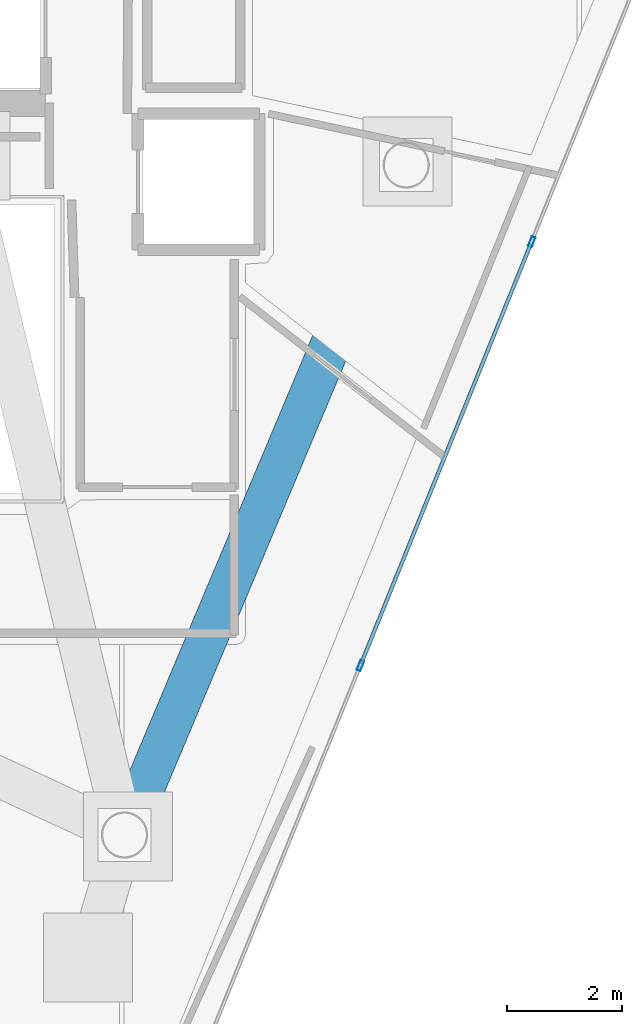
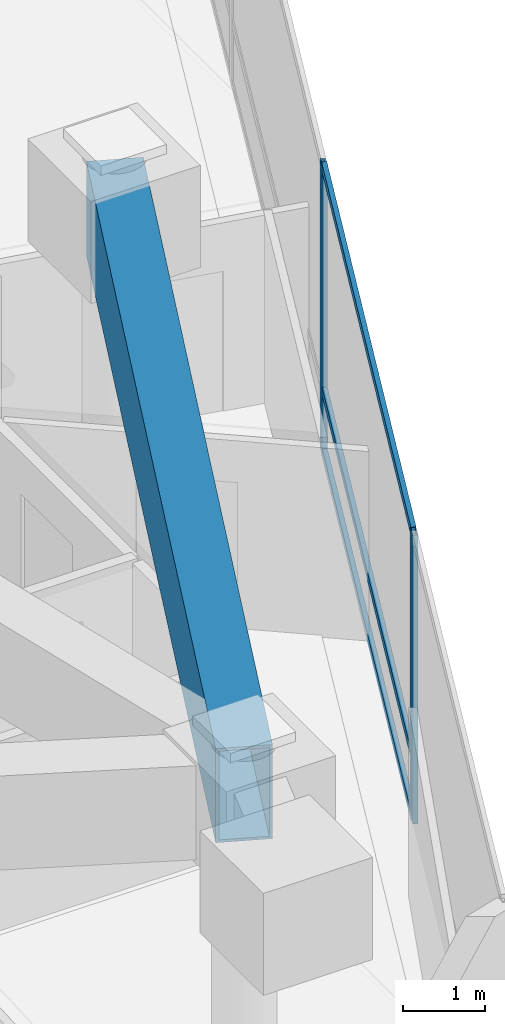
# One storey, part 5 of 17: 5 members, 1 beam, 1 element without a shape of its own.
"""IFC4 building model written with IfcOpenShell, lengths in metres."""

from ifc_helpers import new_model, si_unit, direction, frame, origin, origin_2d, place, context, subcontext, project, spatial, hollow_rectangle, extrude, material, layer, layer_set, material_profile, profile_set, type_object, element, aggregate, save


model = new_model("IFC4")

# Units and contexts
model_context = context("Model", 3, precision=1e-05, world=origin(), true_north=direction((0.0, 1.0)))
body_context = subcontext(model_context, "Body", "Model", "MODEL_VIEW")
ifc_project = project(units=[si_unit("LENGTHUNIT", "METRE"), si_unit("AREAUNIT", "SQUARE_METRE"), si_unit("VOLUMEUNIT", "CUBIC_METRE"), si_unit("PLANEANGLEUNIT", "RADIAN"), si_unit("MASSUNIT", "GRAM", prefix="KILO")], contexts=[model_context])

# Site, building, storey
site_placement = place(None, origin())
site = spatial("IfcSite", under=ifc_project, at=site_placement, CompositionType="ELEMENT")
building_placement = place(site_placement, origin())
building = spatial("IfcBuilding", under=site, at=building_placement, Name="Qianvela Tower", CompositionType="ELEMENT")
storey_placement = place(building_placement, frame((0.0, 0.0, 351.800048828125)))
storey = spatial("IfcBuildingStorey", under=building, at=storey_placement, Name="L91", CompositionType="ELEMENT", Elevation=351.800048828125)

# Beam
ifc_material_1 = material(Name="Steel Q420GJC", Category="steel")
ifc_material_profile_1 = material_profile(ifc_material_1, hollow_rectangle(XDim=0.699951171875, YDim=1.39990234375, WallThickness=0.0400390625, at=origin_2d()), Name="TG-BOX-1400x700x40")
ifc_profile_set_1 = profile_set([ifc_material_profile_1], Name="Steel Q420GJC")
beam_type = type_object("IfcBeamType", Name="BM-TG-RAD-1400", PredefinedType="BEAM", material=ifc_profile_set_1)
beam_placement = place(storey_placement, frame((41.217041015625, 12.087890625, 3.597900390625), z_axis=(0.387547057173, 0.921849921883, 0.0), x_axis=(-0.921849921883, 0.387547057173, 0.0)))
element("IfcBeam", 1, at=beam_placement, inside=storey, type_object=beam_type, Name="L91 Perimeter Ring Transfer Girder 5", PredefinedType="BEAM", context=body_context, shape_type="SweptSolid", body=[
    extrude(hollow_rectangle(XDim=0.699951171875, YDim=1.39990234375, WallThickness=0.0400390625, at=origin_2d()), origin(), (0.0, 0.0, 1.0), 12.586669921875),
])

# Curtain wall, members
ifc_material_2 = material(Name="Anodised Architectural Aluminium and Low-E Glass", Category="aluminium")
ifc_layer = layer(ifc_material_2, 0.18994140625)
ifc_layer_set = layer_set([ifc_layer], Name="Anodised Architectural Aluminium and Low-E Glass")
curtain_wall_type = type_object("IfcCurtainWallType", Name="CW-SKYLOBBY", PredefinedType="USERDEFINED", material=ifc_layer_set)
curtain_wall_placement = place(storey_placement, origin())
curtain_wall = element("IfcCurtainWall", 2, at=curtain_wall_placement, inside=storey, type_object=curtain_wall_type, Name="L91 CW-SKYLOBBY Curtain Wall 06", ObjectType="CURTAIN_WALL_SYSTEM", PredefinedType="USERDEFINED")
ifc_material_3 = material(Name="Anodised Architectural Aluminium 6063-T6", Category="aluminium")
ifc_material_profile_2 = material_profile(ifc_material_3, hollow_rectangle(XDim=0.070068359375, YDim=0.179931640625, WallThickness=0.0048828125, at=origin_2d()), Name="ALU-MULL-70x180")
ifc_profile_set_2 = profile_set([ifc_material_profile_2], Name="Anodised Architectural Aluminium 6063-T6")
member_type_1 = type_object("IfcMemberType", Name="CW-SKYLOBBY-MULL", PredefinedType="MULLION", material=ifc_profile_set_2)
member_1_placement = place(storey_placement, frame((45.3017578125, 15.022216796875, 0.0), z_axis=(0.0, 0.0, 1.0), x_axis=(-0.927091753568, 0.374834470756, 0.0)))
member_1 = element("IfcMember", 3, at=member_1_placement, type_object=member_type_1, Name="CW-7 mullion 2", PredefinedType="MULLION", context=body_context, shape_type="SweptSolid", body=[
    extrude(hollow_rectangle(XDim=0.070068359375, YDim=0.179931640625, WallThickness=0.0048828125, at=origin_2d()), origin(), (0.0, 0.0, 1.0), 4.300048828125),
])
member_2_placement = place(storey_placement, frame((48.267822265625, 22.358642578125, 0.0), z_axis=(0.0, 0.0, 1.0), x_axis=(-0.927091753568, 0.374834470756, 0.0)))
member_2 = element("IfcMember", 4, at=member_2_placement, type_object=member_type_1, Name="CW-7 mullion 3", PredefinedType="MULLION", context=body_context, shape_type="SweptSolid", body=[
    extrude(hollow_rectangle(XDim=0.070068359375, YDim=0.179931640625, WallThickness=0.0048828125, at=origin_2d()), origin(), (0.0, 0.0, 1.0), 4.300048828125),
])
ifc_material_4 = material(Name="Anodised Architectural Aluminium 6063-T6", Category="aluminium")
ifc_material_profile_3 = material_profile(ifc_material_4, hollow_rectangle(XDim=0.06494140625, YDim=0.1298828125, WallThickness=0.00439453125, at=origin_2d()), Name="ALU-TRAN-65x130")
ifc_profile_set_3 = profile_set([ifc_material_profile_3], Name="Anodised Architectural Aluminium 6063-T6")
member_type_2 = type_object("IfcMemberType", Name="CW-SKYLOBBY-TRAN", PredefinedType="USERDEFINED", material=ifc_profile_set_3)
member_3_placement = place(storey_placement, frame((45.31494140625, 15.0546875, 0.032470703125), z_axis=(0.374833576727, 0.927092115034, 0.0), x_axis=(-0.927092115034, 0.374833576727, 0.0)))
member_3 = element("IfcMember", 5, at=member_3_placement, type_object=member_type_2, Name="CW-7 transom 2.1", ObjectType="TRANSOM", PredefinedType="USERDEFINED", context=body_context, shape_type="SweptSolid", body=[
    extrude(hollow_rectangle(XDim=0.06494140625, YDim=0.1298828125, WallThickness=0.00439453125, at=origin_2d()), origin(), (0.0, 0.0, 1.0), 7.84326171875),
])
member_4_placement = place(storey_placement, frame((45.31494140625, 15.0546875, 0.949951171875), z_axis=(0.374833576727, 0.927092115034, 0.0), x_axis=(-0.927092115034, 0.374833576727, 0.0)))
member_4 = element("IfcMember", 6, at=member_4_placement, type_object=member_type_2, Name="CW-7 transom 2.2", ObjectType="TRANSOM", PredefinedType="USERDEFINED", context=body_context, shape_type="SweptSolid", body=[
    extrude(hollow_rectangle(XDim=0.06494140625, YDim=0.1298828125, WallThickness=0.00439453125, at=origin_2d()), origin(), (0.0, 0.0, 1.0), 7.84326171875),
])
member_5_placement = place(storey_placement, frame((45.31494140625, 15.0546875, 4.267333984375), z_axis=(0.374833576727, 0.927092115034, 0.0), x_axis=(-0.927092115034, 0.374833576727, 0.0)))
member_5 = element("IfcMember", 7, at=member_5_placement, type_object=member_type_2, Name="CW-7 transom 2.3", ObjectType="TRANSOM", PredefinedType="USERDEFINED", context=body_context, shape_type="SweptSolid", body=[
    extrude(hollow_rectangle(XDim=0.06494140625, YDim=0.1298828125, WallThickness=0.00439453125, at=origin_2d()), origin(), (0.0, 0.0, 1.0), 7.84326171875),
])
aggregate(curtain_wall, [member_1, member_2, member_3, member_4, member_5])

save(model, "model.ifc")
